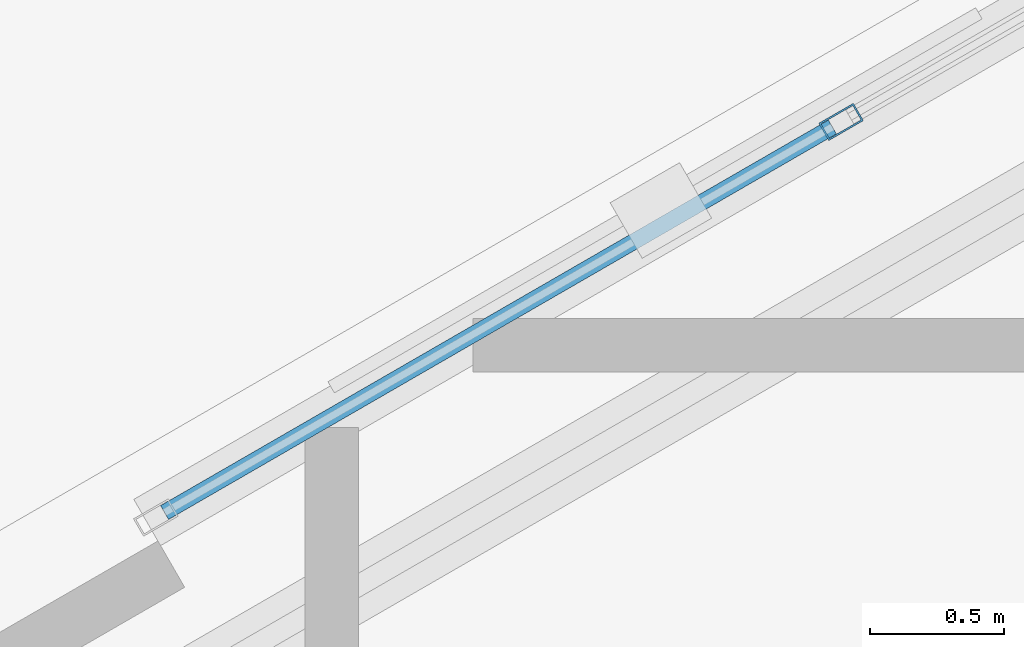
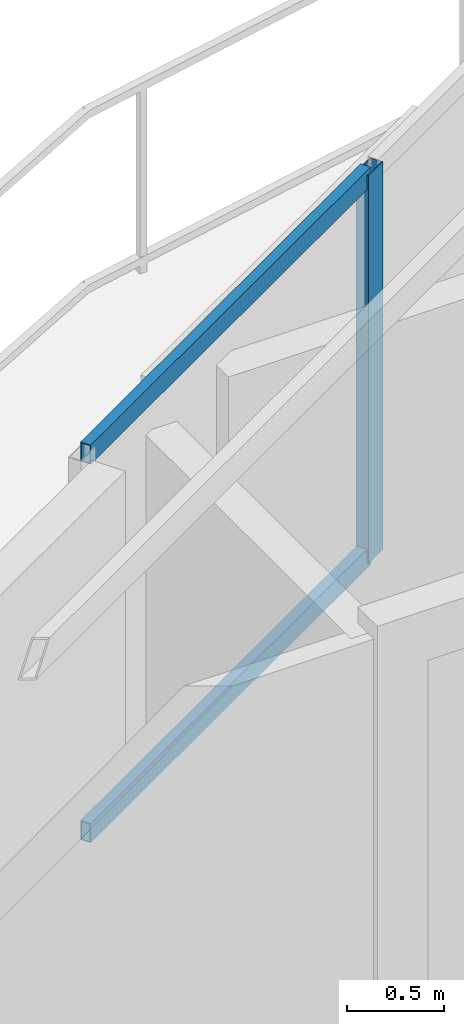
# One storey, part 8 of 21: 3 members, 1 element without a shape of its own.
"""IFC4 building model written with IfcOpenShell, lengths in metres."""

from ifc_helpers import new_model, si_unit, direction, frame, origin, origin_2d, place, context, subcontext, project, spatial, hollow_rectangle, extrude, material, layer, layer_set, material_profile, profile_set, type_object, element, aggregate, save


model = new_model("IFC4")

# Units and contexts
model_context = context("Model", 3, precision=1e-05, world=origin(), true_north=direction((0.0, 1.0)))
body_context = subcontext(model_context, "Body", "Model", "MODEL_VIEW")
ifc_project = project(units=[si_unit("LENGTHUNIT", "METRE"), si_unit("AREAUNIT", "SQUARE_METRE"), si_unit("VOLUMEUNIT", "CUBIC_METRE"), si_unit("PLANEANGLEUNIT", "RADIAN"), si_unit("MASSUNIT", "GRAM", prefix="KILO")], contexts=[model_context])

# Site, building, storey
site_placement = place(None, origin())
site = spatial("IfcSite", under=ifc_project, at=site_placement, CompositionType="ELEMENT")
building_placement = place(site_placement, origin())
building = spatial("IfcBuilding", under=site, at=building_placement, Name="Mersakhor Tower and Convention Hall", CompositionType="ELEMENT")
storey_placement = place(building_placement, frame((0.0, 0.0, 215.10009765625)))
storey = spatial("IfcBuildingStorey", under=building, at=storey_placement, Name="L60", CompositionType="ELEMENT", Elevation=215.10009765625)

# Curtain wall, members
ifc_material_1 = material(Name="Dark solar low-E aluminium curtain wall", Category="aluminium")
ifc_layer = layer(ifc_material_1, 0.169921875)
ifc_layer_set = layer_set([ifc_layer], Name="Dark solar low-E aluminium curtain wall")
curtain_wall_type = type_object("IfcCurtainWallType", Name="CW-SYS-02", PredefinedType="USERDEFINED", material=ifc_layer_set)
curtain_wall_placement = place(storey_placement, origin())
curtain_wall = element("IfcCurtainWall", 1, at=curtain_wall_placement, inside=storey, type_object=curtain_wall_type, Name="L60 Dark-Glass Curtain Wall F1-B2", ObjectType="CURTAIN WALL", PredefinedType="USERDEFINED")
ifc_material_2 = material(Name="Anodised aluminium EN AW-6063 T6", Category="aluminium")
ifc_material_profile_1 = material_profile(ifc_material_2, hollow_rectangle(XDim=0.074951171875, YDim=0.14990234375, WallThickness=0.00634765625, at=origin_2d()), Name="RHS 150x75x6.3")
ifc_profile_set_1 = profile_set([ifc_material_profile_1], Name="Anodised aluminium EN AW-6063 T6")
member_type_1 = type_object("IfcMemberType", Name="CWM-150x75", PredefinedType="MULLION", material=ifc_profile_set_1)
member_1_placement = place(storey_placement, frame((21.906982421875, 36.035888671875, 0.199951171875), z_axis=(0.0, 0.0, 1.0), x_axis=(-0.500007824483, 0.86602088627, 0.0)))
member_1 = element("IfcMember", 2, at=member_1_placement, type_object=member_type_1, Name="CW-02 mullion 2", PredefinedType="MULLION", context=body_context, shape_type="SweptSolid", body=[
    extrude(hollow_rectangle(XDim=0.074951171875, YDim=0.14990234375, WallThickness=0.00634765625, at=origin_2d()), origin(), (0.0, 0.0, 1.0), 2.43994140625),
])
ifc_material_3 = material(Name="Anodised aluminium EN AW-6063 T6", Category="aluminium")
ifc_material_profile_2 = material_profile(ifc_material_3, hollow_rectangle(XDim=0.06005859375, YDim=0.1201171875, WallThickness=0.0048828125, at=origin_2d()), Name="RHS 120x60x5")
ifc_profile_set_2 = profile_set([ifc_material_profile_2], Name="Anodised aluminium EN AW-6063 T6")
member_type_2 = type_object("IfcMemberType", Name="CWT-120x60", PredefinedType="USERDEFINED", material=ifc_profile_set_2)
member_2_placement = place(storey_placement, frame((19.374267578125, 34.573486328125, 0.22998046875), z_axis=(0.86601237176, 0.50002257145, 0.0), x_axis=(-0.50002257145, 0.86601237176, 0.0)))
member_2 = element("IfcMember", 3, at=member_2_placement, type_object=member_type_2, Name="CW-02 transom 1.1", ObjectType="TRANSOM", PredefinedType="USERDEFINED", context=body_context, shape_type="SweptSolid", body=[
    extrude(hollow_rectangle(XDim=0.06005859375, YDim=0.1201171875, WallThickness=0.0048828125, at=origin_2d()), origin(), (0.0, 0.0, 1.0), 2.886962890625),
])
member_3_placement = place(storey_placement, frame((19.374267578125, 34.573486328125, 2.60986328125), z_axis=(0.86601237176, 0.50002257145, 0.0), x_axis=(-0.50002257145, 0.86601237176, 0.0)))
member_3 = element("IfcMember", 4, at=member_3_placement, type_object=member_type_2, Name="CW-02 transom 1.2", ObjectType="TRANSOM", PredefinedType="USERDEFINED", context=body_context, shape_type="SweptSolid", body=[
    extrude(hollow_rectangle(XDim=0.06005859375, YDim=0.1201171875, WallThickness=0.0048828125, at=origin_2d()), origin(), (0.0, 0.0, 1.0), 2.886962890625),
])
aggregate(curtain_wall, [member_1, member_2, member_3])

save(model, "model.ifc")
